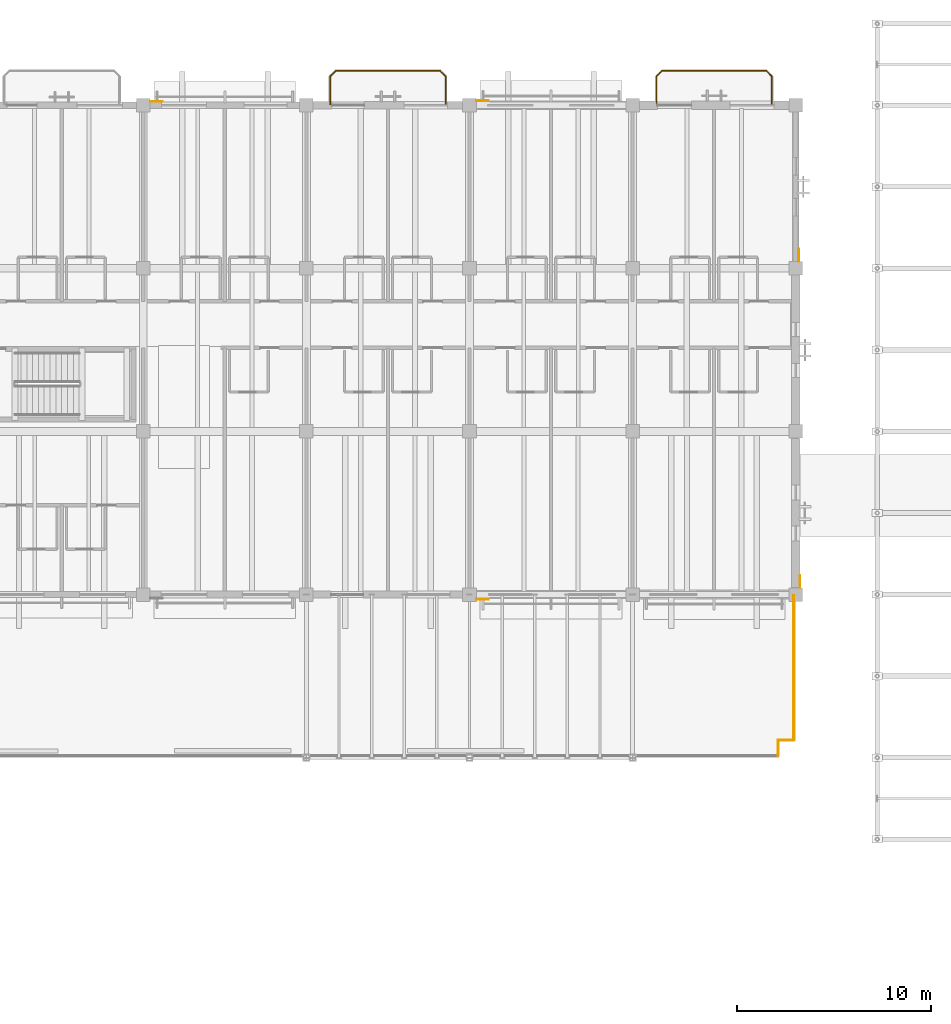
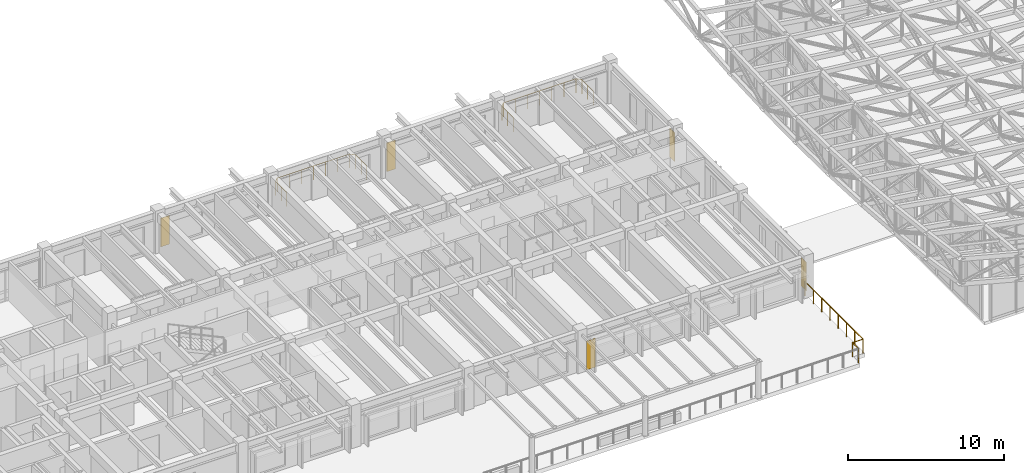
# One storey, part 111 of 111: 5 coverings, 5 railings.
"""IFC4 building model written with IfcOpenShell, lengths in metres."""

from ifc_helpers import new_model, si_unit, direction, frame, origin, origin_2d, place, context, subcontext, project, spatial, polyline, circle, outline, extrude, material, layer, layer_set, type_object, element, save


model = new_model("IFC4")

# Units and contexts
model_context = context("Model", 3, precision=1e-05, world=origin(), true_north=direction((0.0, 1.0)))
body_context = subcontext(model_context, "Body", "Model", "MODEL_VIEW")
ifc_project = project(units=[si_unit("LENGTHUNIT", "METRE"), si_unit("AREAUNIT", "SQUARE_METRE"), si_unit("VOLUMEUNIT", "CUBIC_METRE"), si_unit("PLANEANGLEUNIT", "RADIAN"), si_unit("MASSUNIT", "GRAM", prefix="KILO")], contexts=[model_context])

# Site, building, storey
site_placement = place(None, origin())
site = spatial("IfcSite", under=ifc_project, at=site_placement, CompositionType="ELEMENT")
building_placement = place(site_placement, origin())
building = spatial("IfcBuilding", under=site, at=building_placement, Name="Cumbredor Promenade Congress Hotel", CompositionType="ELEMENT")
storey_placement = place(building_placement, frame((0.0, 0.0, 15.1201171875)))
storey = spatial("IfcBuildingStorey", under=building, at=storey_placement, Name="L04", CompositionType="ELEMENT", Elevation=15.1201171875)

# Coverings
ifc_material_1 = material(Name="Precast concrete C40/50", Category="concrete")
ifc_layer_1 = layer(ifc_material_1, 0.044921875, Name="Precast concrete C40/50", Category="concrete")
ifc_layer_set_1 = layer_set([ifc_layer_1], Name="Precast concrete C40/50")
covering_type_1 = type_object("IfcCoveringType", Name="Board-Formed Architectural Cladding Panel 45mm", PredefinedType="CLADDING", material=ifc_layer_set_1)
covering_1_placement = place(storey_placement, origin())
element("IfcCovering", 1, at=covering_1_placement, inside=storey, type_object=covering_type_1, Name="L04 Facade Stone Cladding Pier 178", PredefinedType="CLADDING", context=body_context, shape_type="SweptSolid", body=[
    extrude(outline(polyline([(67.551025390625, 92.1875), (68.200927734375, 92.1875), (68.200927734375, 92.142578125), (67.551025390625, 92.142578125), (67.551025390625, 92.1875)])), origin(), (0.0, 0.0, 1.0), 2.25),
])
covering_2_placement = place(storey_placement, origin())
element("IfcCovering", 2, at=covering_2_placement, inside=storey, type_object=covering_type_1, Name="L04 Facade Stone Cladding Pier 182", PredefinedType="CLADDING", context=body_context, shape_type="SweptSolid", body=[
    extrude(outline(polyline([(67.551025390625, 117.8125), (68.200927734375, 117.8125), (68.200927734375, 117.857421875), (67.551025390625, 117.857421875), (67.551025390625, 117.8125)])), origin(), (0.0, 0.0, 1.0), 2.25),
])
covering_3_placement = place(storey_placement, origin())
element("IfcCovering", 3, at=covering_3_placement, inside=storey, type_object=covering_type_1, Name="L04 Facade Stone Cladding Pier 186", PredefinedType="CLADDING", context=body_context, shape_type="SweptSolid", body=[
    extrude(outline(polyline([(84.1298828125, 109.551025390625), (84.1298828125, 110.200927734375), (84.175048828125, 110.200927734375), (84.175048828125, 109.551025390625), (84.1298828125, 109.551025390625)])), origin(), (0.0, 0.0, 1.0), 2.25),
])

# Railings
ifc_material_2 = material(Name="Brushed stainless steel", Category="steel")
railing_type_1 = type_object("IfcRailingType", Name="Sky Garden Glass-and-Steel Balustrade BAL-1150", PredefinedType="BALUSTRADE", material=ifc_material_2)
railing_1_placement = place(storey_placement, frame((76.830078125, 117.64990234375, 0.0)))
element("IfcRailing", 4, at=railing_1_placement, inside=storey, type_object=railing_type_1, Name="L04 Veranda Balcony Balustrade 024", PredefinedType="BALUSTRADE", context=body_context, shape_type="SweptSolid", body=[
    extrude(circle(Radius=0.02392578125, at=origin_2d()), frame((0.0, 0.0, 1.1259765625), z_axis=(0.0, 1.0, 0.0), x_axis=(-1.0, 0.0, 0.0)), (0.0, 0.0, 1.0), 1.440185546875),
    extrude(circle(Radius=0.02392578125, at=origin_2d()), frame((0.0, 1.440185546875, 1.1259765625), z_axis=(0.707106781187, 0.707106781187, 0.0), x_axis=(-0.707106781187, 0.707106781187, 0.0)), (0.0, 0.0, 1.0), 0.39599609375),
    extrude(circle(Radius=0.02392578125, at=origin_2d()), frame((0.280029296875, 1.72021484375, 1.1259765625), z_axis=(1.0, 0.0, 0.0), x_axis=(0.0, 1.0, 0.0)), (0.0, 0.0, 1.0), 5.3798828125),
    extrude(circle(Radius=0.02392578125, at=origin_2d()), frame((5.659912109375, 1.72021484375, 1.1259765625), z_axis=(0.707106781187, -0.707106781187, 0.0), x_axis=(0.707106781187, 0.707106781187, 0.0)), (0.0, 0.0, 1.0), 0.39599609375),
    extrude(circle(Radius=0.02392578125, at=origin_2d()), frame((5.93994140625, 1.440185546875, 1.1259765625), z_axis=(0.0, -1.0, 0.0), x_axis=(1.0, 0.0, 0.0)), (0.0, 0.0, 1.0), 1.440185546875),
    extrude(circle(Radius=0.02099609375, at=origin_2d()), origin(), (0.0, 0.0, 1.0), 1.101806640625),
    extrude(circle(Radius=0.02099609375, at=origin_2d()), frame((0.0, 0.72021484375, 0.0)), (0.0, 0.0, 1.0), 1.101806640625),
    extrude(circle(Radius=0.02099609375, at=origin_2d()), frame((0.0, 1.440185546875, 0.0)), (0.0, 0.0, 1.0), 1.101806640625),
    extrude(circle(Radius=0.02099609375, at=origin_2d()), frame((0.280029296875, 1.72021484375, 0.0)), (0.0, 0.0, 1.0), 1.101806640625),
    extrude(circle(Radius=0.02099609375, at=origin_2d()), frame((1.1767578125, 1.72021484375, 0.0)), (0.0, 0.0, 1.0), 1.101806640625),
    extrude(circle(Radius=0.02099609375, at=origin_2d()), frame((2.0732421875, 1.72021484375, 0.0)), (0.0, 0.0, 1.0), 1.101806640625),
    extrude(circle(Radius=0.02099609375, at=origin_2d()), frame((2.969970703125, 1.72021484375, 0.0)), (0.0, 0.0, 1.0), 1.101806640625),
    extrude(circle(Radius=0.02099609375, at=origin_2d()), frame((3.86669921875, 1.72021484375, 0.0)), (0.0, 0.0, 1.0), 1.101806640625),
    extrude(circle(Radius=0.02099609375, at=origin_2d()), frame((4.76318359375, 1.72021484375, 0.0)), (0.0, 0.0, 1.0), 1.101806640625),
    extrude(circle(Radius=0.02099609375, at=origin_2d()), frame((5.659912109375, 1.72021484375, 0.0)), (0.0, 0.0, 1.0), 1.101806640625),
    extrude(circle(Radius=0.02099609375, at=origin_2d()), frame((5.93994140625, 1.440185546875, 0.0)), (0.0, 0.0, 1.0), 1.101806640625),
    extrude(circle(Radius=0.02099609375, at=origin_2d()), frame((5.93994140625, 0.72021484375, 0.0)), (0.0, 0.0, 1.0), 1.101806640625),
    extrude(circle(Radius=0.02099609375, at=origin_2d()), frame((5.93994140625, 0.0, 0.0)), (0.0, 0.0, 1.0), 1.101806640625),
])
railing_2_placement = place(storey_placement, frame((83.10009765625, 84.10009765625, 0.0)))
element("IfcRailing", 5, at=railing_2_placement, inside=storey, type_object=railing_type_1, Name="L04 Hotel Podium South Sky Garden Terrace Balustrade 62", PredefinedType="BALUSTRADE", context=body_context, shape_type="SweptSolid", body=[
    extrude(circle(Radius=0.02392578125, at=origin_2d()), frame((0.0, 0.0, 1.1259765625), z_axis=(0.0, 1.0, 0.0), x_axis=(-1.0, 0.0, 0.0)), (0.0, 0.0, 1.0), 0.7998046875),
    extrude(circle(Radius=0.02099609375, at=origin_2d()), origin(), (0.0, 0.0, 1.0), 1.101806640625),
    extrude(circle(Radius=0.02099609375, at=origin_2d()), frame((0.0, 0.7998046875, 0.0)), (0.0, 0.0, 1.0), 1.101806640625),
])
railing_type_2 = type_object("IfcRailingType", Name="Terrace Perimeter Balustrade BAL-1120", PredefinedType="BALUSTRADE", material=ifc_material_2)
railing_3_placement = place(storey_placement, frame((60.030029296875, 117.64990234375, 0.0)))
element("IfcRailing", 6, at=railing_3_placement, inside=storey, type_object=railing_type_2, Name="L04 Veranda Balcony Balustrade 023", PredefinedType="BALUSTRADE", context=body_context, shape_type="SweptSolid", body=[
    extrude(circle(Radius=0.02392578125, at=origin_2d()), frame((0.0, 0.0, 1.09619140625), z_axis=(0.0, 1.0, 0.0), x_axis=(-1.0, 0.0, 0.0)), (0.0, 0.0, 1.0), 1.440185546875),
    extrude(circle(Radius=0.02392578125, at=origin_2d()), frame((0.0, 1.440185546875, 1.09619140625), z_axis=(0.707106781187, 0.707106781187, 0.0), x_axis=(-0.707106781187, 0.707106781187, 0.0)), (0.0, 0.0, 1.0), 0.39599609375),
    extrude(circle(Radius=0.02392578125, at=origin_2d()), frame((0.280029296875, 1.72021484375, 1.09619140625), z_axis=(1.0, 0.0, 0.0), x_axis=(0.0, 1.0, 0.0)), (0.0, 0.0, 1.0), 5.3798828125),
    extrude(circle(Radius=0.02392578125, at=origin_2d()), frame((5.659912109375, 1.72021484375, 1.09619140625), z_axis=(0.707106781187, -0.707106781187, 0.0), x_axis=(0.707106781187, 0.707106781187, 0.0)), (0.0, 0.0, 1.0), 0.39599609375),
    extrude(circle(Radius=0.02392578125, at=origin_2d()), frame((5.93994140625, 1.440185546875, 1.09619140625), z_axis=(0.0, -1.0, 0.0), x_axis=(1.0, 0.0, 0.0)), (0.0, 0.0, 1.0), 1.440185546875),
    extrude(circle(Radius=0.02099609375, at=origin_2d()), origin(), (0.0, 0.0, 1.0), 1.072021484375),
    extrude(circle(Radius=0.02099609375, at=origin_2d()), frame((0.0, 0.72021484375, 0.0)), (0.0, 0.0, 1.0), 1.072021484375),
    extrude(circle(Radius=0.02099609375, at=origin_2d()), frame((0.0, 1.440185546875, 0.0)), (0.0, 0.0, 1.0), 1.072021484375),
    extrude(circle(Radius=0.02099609375, at=origin_2d()), frame((0.280029296875, 1.72021484375, 0.0)), (0.0, 0.0, 1.0), 1.072021484375),
    extrude(circle(Radius=0.02099609375, at=origin_2d()), frame((1.1767578125, 1.72021484375, 0.0)), (0.0, 0.0, 1.0), 1.072021484375),
    extrude(circle(Radius=0.02099609375, at=origin_2d()), frame((2.0732421875, 1.72021484375, 0.0)), (0.0, 0.0, 1.0), 1.072021484375),
    extrude(circle(Radius=0.02099609375, at=origin_2d()), frame((2.969970703125, 1.72021484375, 0.0)), (0.0, 0.0, 1.0), 1.072021484375),
    extrude(circle(Radius=0.02099609375, at=origin_2d()), frame((3.86669921875, 1.72021484375, 0.0)), (0.0, 0.0, 1.0), 1.072021484375),
    extrude(circle(Radius=0.02099609375, at=origin_2d()), frame((4.76318359375, 1.72021484375, 0.0)), (0.0, 0.0, 1.0), 1.072021484375),
    extrude(circle(Radius=0.02099609375, at=origin_2d()), frame((5.659912109375, 1.72021484375, 0.0)), (0.0, 0.0, 1.0), 1.072021484375),
    extrude(circle(Radius=0.02099609375, at=origin_2d()), frame((5.93994140625, 1.440185546875, 0.0)), (0.0, 0.0, 1.0), 1.072021484375),
    extrude(circle(Radius=0.02099609375, at=origin_2d()), frame((5.93994140625, 0.72021484375, 0.0)), (0.0, 0.0, 1.0), 1.072021484375),
    extrude(circle(Radius=0.02099609375, at=origin_2d()), frame((5.93994140625, 0.0, 0.0)), (0.0, 0.0, 1.0), 1.072021484375),
])
railing_4_placement = place(storey_placement, frame((83.10009765625, 84.89990234375, 0.0)))
element("IfcRailing", 7, at=railing_4_placement, inside=storey, type_object=railing_type_2, Name="L04 Hotel Podium South Sky Garden Terrace Balustrade 63", PredefinedType="BALUSTRADE", context=body_context, shape_type="SweptSolid", body=[
    extrude(circle(Radius=0.02392578125, at=origin_2d()), frame((0.0, 0.0, 1.09619140625), z_axis=(1.0, 0.0, 0.0), x_axis=(0.0, 1.0, 0.0)), (0.0, 0.0, 1.0), 0.7998046875),
    extrude(circle(Radius=0.02099609375, at=origin_2d()), origin(), (0.0, 0.0, 1.0), 1.072021484375),
    extrude(circle(Radius=0.02099609375, at=origin_2d()), frame((0.7998046875, 0.0, 0.0)), (0.0, 0.0, 1.0), 1.072021484375),
])
railing_5_placement = place(storey_placement, frame((83.89990234375, 84.89990234375, 0.0)))
element("IfcRailing", 8, at=railing_5_placement, inside=storey, type_object=railing_type_2, Name="L04 Hotel Podium South Sky Garden Terrace Balustrade 65", PredefinedType="BALUSTRADE", context=body_context, shape_type="SweptSolid", body=[
    extrude(circle(Radius=0.02392578125, at=origin_2d()), frame((0.0, 0.0, 1.09619140625), z_axis=(0.0, 1.0, 0.0), x_axis=(-1.0, 0.0, 0.0)), (0.0, 0.0, 1.0), 7.4501953125),
    extrude(circle(Radius=0.02099609375, at=origin_2d()), origin(), (0.0, 0.0, 1.0), 1.072021484375),
    extrude(circle(Radius=0.02099609375, at=origin_2d()), frame((0.0, 1.064208984375, 0.0)), (0.0, 0.0, 1.0), 1.072021484375),
    extrude(circle(Radius=0.02099609375, at=origin_2d()), frame((0.0, 2.128662109375, 0.0)), (0.0, 0.0, 1.0), 1.072021484375),
    extrude(circle(Radius=0.02099609375, at=origin_2d()), frame((0.0, 3.19287109375, 0.0)), (0.0, 0.0, 1.0), 1.072021484375),
    extrude(circle(Radius=0.02099609375, at=origin_2d()), frame((0.0, 4.25732421875, 0.0)), (0.0, 0.0, 1.0), 1.072021484375),
    extrude(circle(Radius=0.02099609375, at=origin_2d()), frame((0.0, 5.321533203125, 0.0)), (0.0, 0.0, 1.0), 1.072021484375),
    extrude(circle(Radius=0.02099609375, at=origin_2d()), frame((0.0, 6.385986328125, 0.0)), (0.0, 0.0, 1.0), 1.072021484375),
    extrude(circle(Radius=0.02099609375, at=origin_2d()), frame((0.0, 7.4501953125, 0.0)), (0.0, 0.0, 1.0), 1.072021484375),
])

# Coverings
ifc_material_3 = material(Name="Volcanic andesite ashlar cladding", Category="masonry")
ifc_layer_2 = layer(ifc_material_3, 0.034912109375, Name="Volcanic andesite ashlar cladding", Category="masonry")
ifc_layer_set_2 = layer_set([ifc_layer_2], Name="Volcanic andesite ashlar cladding")
covering_type_2 = type_object("IfcCoveringType", Name="Volcanic Andesite Ashlar Rainscreen Cladding 35mm", PredefinedType="CLADDING", material=ifc_layer_set_2)
covering_4_placement = place(storey_placement, origin())
element("IfcCovering", 9, at=covering_4_placement, inside=storey, type_object=covering_type_2, Name="L04 Facade Stone Cladding Pier 181", PredefinedType="CLADDING", context=body_context, shape_type="SweptSolid", body=[
    extrude(outline(polyline([(50.7509765625, 117.77490234375), (51.40087890625, 117.77490234375), (51.40087890625, 117.81005859375), (50.7509765625, 117.81005859375), (50.7509765625, 117.77490234375)])), origin(), (0.0, 0.0, 1.0), 2.25),
])
covering_5_placement = place(storey_placement, origin())
element("IfcCovering", 10, at=covering_5_placement, inside=storey, type_object=covering_type_2, Name="L04 Facade Stone Cladding Pier 185", PredefinedType="CLADDING", context=body_context, shape_type="SweptSolid", body=[
    extrude(outline(polyline([(84.21240234375, 92.7509765625), (84.21240234375, 93.40087890625), (84.24755859375, 93.40087890625), (84.24755859375, 92.7509765625), (84.21240234375, 92.7509765625)])), origin(), (0.0, 0.0, 1.0), 2.25),
])

save(model, "model.ifc")
